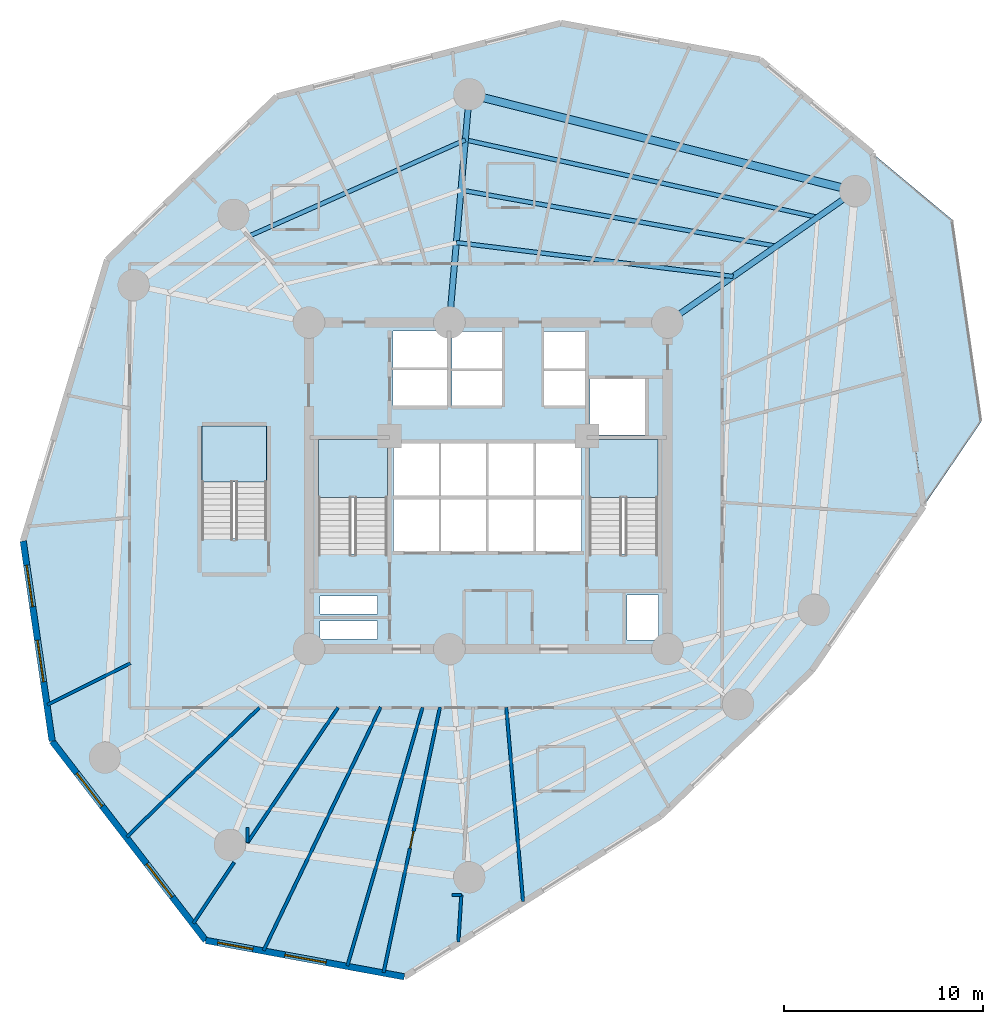
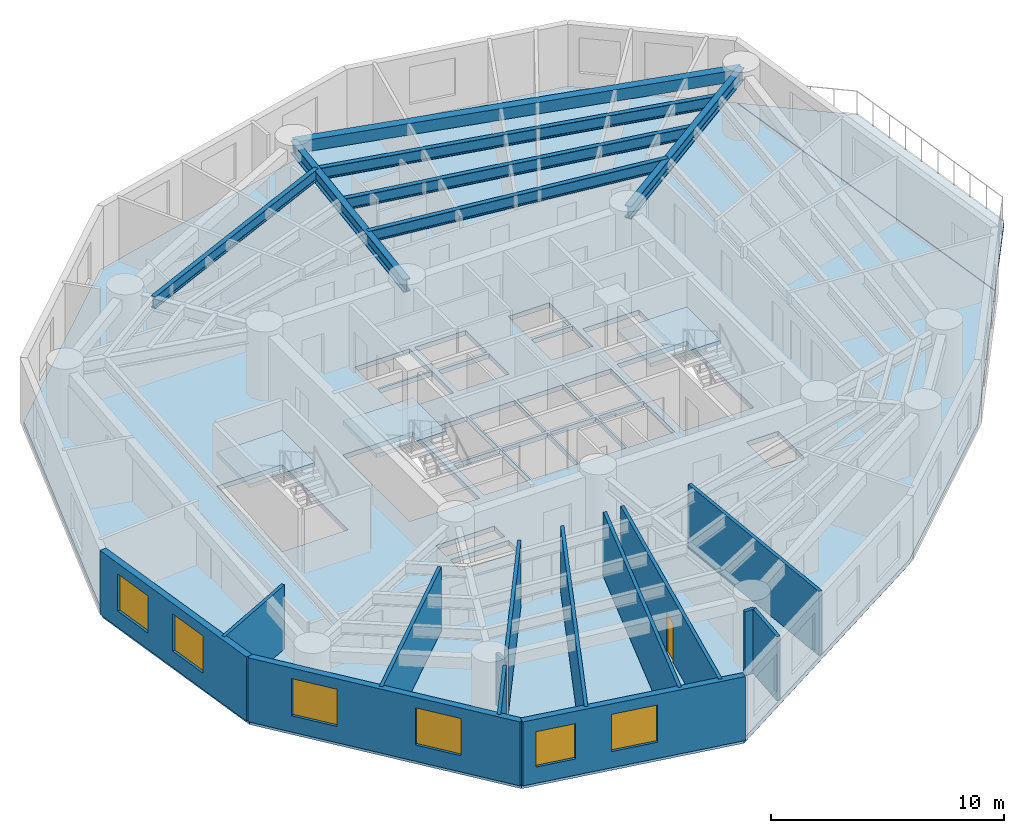
# One storey, part 2 of 9: 14 walls, 7 beams, 6 windows, 5 slabs, 1 door, 7 openings, 3 elements without a shape of their own.
"""IFC4 building model written with IfcOpenShell, lengths in metres."""

from ifc_helpers import new_model, si_unit, direction, frame, frame_2d, origin, origin_with_axes, origin_2d, place, context, subcontext, project, spatial, polyline, rectangle, i_section, outline, extrude, source, transform, mapped, material, layer, layer_set, material_profile, profile_set, type_object, element, fill, aggregate, save


model = new_model("IFC4")

# Units and contexts
model_context = context("Model", 3, precision=1e-05, world=origin(), true_north=direction((0.0, 1.0)))
body_context = subcontext(model_context, "Body", "Model", "MODEL_VIEW")
ifc_project = project(units=[si_unit("LENGTHUNIT", "METRE"), si_unit("AREAUNIT", "SQUARE_METRE"), si_unit("VOLUMEUNIT", "CUBIC_METRE"), si_unit("PLANEANGLEUNIT", "RADIAN"), si_unit("MASSUNIT", "GRAM", prefix="KILO")], contexts=[model_context])

# Site, building, storey
site_placement = place(None, origin())
site = spatial("IfcSite", under=ifc_project, at=site_placement, CompositionType="ELEMENT")
building_placement = place(site_placement, origin())
building = spatial("IfcBuilding", under=site, at=building_placement, Name="Karkom Vertical University and Central Library", CompositionType="ELEMENT")
storey_placement = place(building_placement, frame((0.0, 0.0, 69.699951171875)))
storey = spatial("IfcBuildingStorey", under=building, at=storey_placement, Name="L18", CompositionType="ELEMENT", Elevation=69.699951171875)

# Beams
ifc_material_1 = material(Name="Steel S355", Category="steel")
ifc_material_profile_1 = material_profile(ifc_material_1, i_section(OverallWidth=0.300048828125, OverallDepth=0.64990234375, WebThickness=0.01611328125, FlangeThickness=0.031005859375, FilletRadius=0.027099609375, at=origin_2d()), Name="HE 650 B")
ifc_profile_set_1 = profile_set([ifc_material_profile_1], Name="Steel S355")
beam_type_1 = type_object("IfcBeamType", Name="STR-BM-SB-HE650", PredefinedType="USERDEFINED", material=ifc_profile_set_1)
shared_shape_1 = source(origin_with_axes(), body_context, "Body", "SweptSolid", [
    extrude(i_section(OverallWidth=0.300048828125, OverallDepth=0.64990234375, WebThickness=0.01611328125, FlangeThickness=0.031005859375, FilletRadius=0.027099609375, at=origin_2d()), origin(), (0.0, 0.0, 1.0), 11.49951171875),
])
beam_1_placement = place(storey_placement, frame((37.5, 34.699951171875, 3.025146484375), z_axis=(0.81915012564, 0.573579176457, 0.0), x_axis=(-0.573579176457, 0.81915012564, 0.0)))
element("IfcBeam", 1, at=beam_1_placement, inside=storey, type_object=beam_type_1, Name="Level 18 Radial Frame Girder 02", ObjectType="GIRDER", PredefinedType="USERDEFINED", context=body_context, shape_type="MappedRepresentation", body=[
    mapped(shared_shape_1, transform((0.0, 0.0, 0.0), scale=1.0)),
])
shared_shape_2 = source(origin_with_axes(), body_context, "Body", "SweptSolid", [
    extrude(i_section(OverallWidth=0.300048828125, OverallDepth=0.64990234375, WebThickness=0.01611328125, FlangeThickness=0.031005859375, FilletRadius=0.027099609375, at=origin_2d()), origin(), (0.0, 0.0, 1.0), 11.499755859375),
])
beam_2_placement = place(storey_placement, frame((26.550048828125, 34.699951171875, 3.025146484375), z_axis=(0.087127973109, 0.99619712723, 0.0), x_axis=(-0.99619712723, 0.087127973109, 0.0)))
element("IfcBeam", 2, at=beam_2_placement, inside=storey, type_object=beam_type_1, Name="Level 18 Radial Frame Girder 03", ObjectType="GIRDER", PredefinedType="USERDEFINED", context=body_context, shape_type="MappedRepresentation", body=[
    mapped(shared_shape_2, transform((0.0, 0.0, 0.0), scale=1.0)),
])
ifc_material_2 = material(Name="Precast concrete C45/55", Category="concrete")
ifc_material_profile_2 = material_profile(ifc_material_2, rectangle(XDim=0.39990234375, YDim=0.60009765625, at=origin_2d()), Name="SPB-400x600")
ifc_profile_set_2 = profile_set([ifc_material_profile_2], Name="Precast concrete C45/55")
beam_type_2 = type_object("IfcBeamType", Name="STR-BM-SP-1", PredefinedType="SPANDREL", material=ifc_profile_set_2)
shared_shape_3 = source(origin_with_axes(), body_context, "Body", "SweptSolid", [
    extrude(rectangle(XDim=0.39990234375, YDim=0.60009765625, at=origin_2d()), origin(), (0.0, 0.0, 1.0), 19.968505859375),
])
beam_3_placement = place(storey_placement, frame((46.919921875, 41.2958984375, 3.050048828125), z_axis=(-0.969928522391, 0.243389937039, 0.0), x_axis=(-0.243389937039, -0.969928522391, 0.0)))
element("IfcBeam", 3, at=beam_3_placement, inside=storey, type_object=beam_type_2, Name="Level 18 Perimeter Spandrel Beam 02", PredefinedType="SPANDREL", context=body_context, shape_type="MappedRepresentation", body=[
    mapped(shared_shape_3, transform((0.0, 0.0, 0.0), scale=1.0)),
])
ifc_material_profile_3 = material_profile(ifc_material_1, i_section(OverallWidth=0.219970703125, OverallDepth=0.60009765625, WebThickness=0.011962890625, FlangeThickness=0.01904296875, FilletRadius=0.02392578125, at=origin_2d()), Name="IPE 600")
ifc_profile_set_3 = profile_set([ifc_material_profile_3], Name="Steel S355")
beam_type_3 = type_object("IfcBeamType", Name="STR-BM-SB-IPE600", PredefinedType="BEAM", material=ifc_profile_set_3)
shared_shape_4 = source(origin_with_axes(), body_context, "Body", "SweptSolid", [
    extrude(i_section(OverallWidth=0.219970703125, OverallDepth=0.60009765625, WebThickness=0.011962890625, FlangeThickness=0.01904296875, FilletRadius=0.02392578125, at=origin_2d()), origin(), (0.0, 0.0, 1.0), 14.000244140625),
])
beam_4_placement = place(storey_placement, frame((40.797119140625, 37.008544921875, 3.050048828125), z_axis=(-0.992590166403, 0.121510335198, 0.0), x_axis=(-0.121510335198, -0.992590166403, 0.0)))
element("IfcBeam", 4, at=beam_4_placement, inside=storey, type_object=beam_type_3, Name="Level 18 Secondary Composite Floor Beam 1.02", PredefinedType="BEAM", context=body_context, shape_type="MappedRepresentation", body=[
    mapped(shared_shape_4, transform((0.0, 0.0, 0.0), scale=1.0)),
])
shared_shape_5 = source(origin_with_axes(), body_context, "Body", "SweptSolid", [
    extrude(i_section(OverallWidth=0.219970703125, OverallDepth=0.60009765625, WebThickness=0.011962890625, FlangeThickness=0.01904296875, FilletRadius=0.02392578125, at=origin_2d()), origin(), (0.0, 0.0, 1.0), 16.08154296875),
])
beam_5_placement = place(storey_placement, frame((42.963623046875, 38.525634765625, 3.050048828125), z_axis=(-0.984517708807, 0.175285142111, 0.0), x_axis=(-0.175285142111, -0.984517708807, 0.0)))
element("IfcBeam", 5, at=beam_5_placement, inside=storey, type_object=beam_type_3, Name="Level 18 Secondary Composite Floor Beam 2.02", PredefinedType="BEAM", context=body_context, shape_type="MappedRepresentation", body=[
    mapped(shared_shape_5, transform((0.0, 0.0, 0.0), scale=1.0)),
])
shared_shape_6 = source(origin_with_axes(), body_context, "Body", "SweptSolid", [
    extrude(i_section(OverallWidth=0.219970703125, OverallDepth=0.60009765625, WebThickness=0.011962890625, FlangeThickness=0.01904296875, FilletRadius=0.02392578125, at=origin_2d()), origin(), (0.0, 0.0, 1.0), 18.106689453125),
])
beam_6_placement = place(storey_placement, frame((45.035888671875, 39.976806640625, 3.050048828125), z_axis=(-0.976674731786, 0.214724167926, 0.0), x_axis=(-0.214724167926, -0.976674731786, 0.0)))
element("IfcBeam", 6, at=beam_6_placement, inside=storey, type_object=beam_type_3, Name="Level 18 Secondary Composite Floor Beam 3.02", PredefinedType="BEAM", context=body_context, shape_type="MappedRepresentation", body=[
    mapped(shared_shape_6, transform((0.0, 0.0, 0.0), scale=1.0)),
])
shared_shape_7 = source(origin_with_axes(), body_context, "Body", "SweptSolid", [
    extrude(i_section(OverallWidth=0.219970703125, OverallDepth=0.60009765625, WebThickness=0.011962890625, FlangeThickness=0.01904296875, FilletRadius=0.02392578125, at=origin_2d()), origin(), (0.0, 0.0, 1.0), 11.908203125),
])
beam_7_placement = place(storey_placement, frame((27.3515625, 43.86474609375, 3.050048828125), z_axis=(-0.913682996781, -0.406427584441, 0.0), x_axis=(0.406427584441, -0.913682996781, 0.0)))
element("IfcBeam", 7, at=beam_7_placement, inside=storey, type_object=beam_type_3, Name="Level 18 Secondary Composite Floor Beam 3.03", PredefinedType="BEAM", context=body_context, shape_type="MappedRepresentation", body=[
    mapped(shared_shape_7, transform((0.0, 0.0, 0.0), scale=1.0)),
])

# Stair, slab
ifc_material_3 = material(Name="Concrete C45/55", Category="concrete")
stair_type_1 = type_object("IfcStairType", Name="INT-STR-ST-MAIN", PredefinedType="HALF_TURN_STAIR", material=ifc_material_3)
stair_1_placement = place(storey_placement, origin())
stair_1 = element("IfcStair", 8, at=stair_1_placement, inside=storey, type_object=stair_type_1, Name="Level 18 Tower Protected Exit Stair ST-1", PredefinedType="HALF_TURN_STAIR")
ifc_layer_1 = layer(ifc_material_3, 0.199951171875)
ifc_layer_set_1 = layer_set([ifc_layer_1], Name="Concrete C45/55")
slab_type_1 = type_object("IfcSlabType", Name="INT-SLB-LANDING", PredefinedType="LANDING", material=ifc_layer_set_1)
slab_1_placement = place(storey_placement, frame((0.0, 0.0, 1.60009765625)))
slab_1 = element("IfcSlab", 9, at=slab_1_placement, type_object=slab_type_1, Name="ST-1 landing 1", PredefinedType="LANDING", context=body_context, shape_type="SweptSolid", body=[
    extrude(outline(polyline([(23.43994140625, 25.919921875), (23.43994140625, 28.820068359375), (19.97998046875, 28.820068359375), (19.97998046875, 25.919921875), (23.43994140625, 25.919921875)])), origin(), (0.0, 0.0, 1.0), 0.199951171875),
])
aggregate(stair_1, [slab_1])

stair_2_placement = place(storey_placement, origin())
stair_2 = element("IfcStair", 10, at=stair_2_placement, inside=storey, type_object=stair_type_1, Name="Level 18 Tower Protected Exit Stair ST-2", PredefinedType="HALF_TURN_STAIR")
slab_2_placement = place(storey_placement, frame((0.0, 0.0, 1.60009765625)))
slab_2 = element("IfcSlab", 11, at=slab_2_placement, type_object=slab_type_1, Name="ST-2 landing 1", PredefinedType="LANDING", context=body_context, shape_type="SweptSolid", body=[
    extrude(outline(polyline([(37.02001953125, 25.919921875), (37.02001953125, 28.820068359375), (33.56005859375, 28.820068359375), (33.56005859375, 25.919921875), (37.02001953125, 25.919921875)])), origin(), (0.0, 0.0, 1.0), 0.199951171875),
])
aggregate(stair_2, [slab_2])

stair_type_2 = type_object("IfcStairType", Name="INT-STR-ST-SEC", PredefinedType="HALF_TURN_STAIR", material=ifc_material_3)
stair_3_placement = place(storey_placement, origin())
stair_3 = element("IfcStair", 12, at=stair_3_placement, inside=storey, type_object=stair_type_2, Name="Level 18 Academic Zone Protected Exit Stair ST-3", PredefinedType="HALF_TURN_STAIR")
slab_3_placement = place(storey_placement, frame((0.0, 0.0, 1.60009765625)))
slab_3 = element("IfcSlab", 13, at=slab_3_placement, type_object=slab_type_1, Name="ST-3 landing 1", PredefinedType="LANDING", context=body_context, shape_type="SweptSolid", body=[
    extrude(outline(polyline([(17.3798828125, 26.699951171875), (17.3798828125, 29.5), (14.1201171875, 29.5), (14.1201171875, 26.699951171875), (17.3798828125, 26.699951171875)])), origin(), (0.0, 0.0, 1.0), 0.199951171875),
])
aggregate(stair_3, [slab_3])

# Slabs
ifc_layer_2 = layer(ifc_material_3, 0.25)
ifc_layer_set_2 = layer_set([ifc_layer_2], Name="Concrete C45/55")
slab_type_2 = type_object("IfcSlabType", Name="STR-SLB-FLR-250", PredefinedType="FLOOR", material=ifc_layer_set_2)
slab_4_placement = place(storey_placement, frame((0.0, 0.0, -0.25)))
element("IfcSlab", 14, at=slab_4_placement, inside=storey, type_object=slab_type_2, Name="Level 18 Tower Structural Floor Slab", PredefinedType="FLOOR", context=body_context, shape_type="SweptSolid", body=[
    extrude(outline(polyline([(9.375244140625, 37.838134765625), (5.15478515625, 23.726318359375), (6.60888671875, 13.676513671875), (14.31787109375, 3.677978515625), (24.284423828125, 1.85009765625), (37.14697265625, 9.91259765625), (44.749755859375, 17.23388671875), (50.351318359375, 25.464111328125), (47.786865234375, 43.188232421875), (42.139404296875, 47.892333984375), (32.151611328125, 49.72412109375), (17.890625, 46.03857421875), (9.375244140625, 37.838134765625)]), holes=[polyline([(19.97998046875, 23.0849609375), (23.43994140625, 23.0849609375), (23.43994140625, 28.820068359375), (19.97998046875, 28.820068359375), (19.97998046875, 23.0849609375)]), polyline([(33.56005859375, 23.0849609375), (37.02001953125, 23.0849609375), (37.02001953125, 28.820068359375), (33.56005859375, 28.820068359375), (33.56005859375, 23.0849609375)]), polyline([(14.1201171875, 23.864990234375), (17.3798828125, 23.864990234375), (17.3798828125, 29.5), (14.1201171875, 29.5), (14.1201171875, 23.864990234375)]), polyline([(23.75, 23.199951171875), (26.030029296875, 23.199951171875), (26.030029296875, 25.85009765625), (23.75, 25.85009765625), (23.75, 23.199951171875)]), polyline([(26.1298828125, 23.199951171875), (28.409912109375, 23.199951171875), (28.409912109375, 25.85009765625), (26.1298828125, 25.85009765625), (26.1298828125, 23.199951171875)]), polyline([(28.510009765625, 23.199951171875), (30.7900390625, 23.199951171875), (30.7900390625, 25.85009765625), (28.510009765625, 25.85009765625), (28.510009765625, 23.199951171875)]), polyline([(30.889892578125, 23.199951171875), (33.169921875, 23.199951171875), (33.169921875, 25.85009765625), (30.889892578125, 25.85009765625), (30.889892578125, 23.199951171875)]), polyline([(23.75, 26.0), (26.030029296875, 26.0), (26.030029296875, 28.64990234375), (23.75, 28.64990234375), (23.75, 26.0)]), polyline([(26.1298828125, 26.0), (28.409912109375, 26.0), (28.409912109375, 28.64990234375), (26.1298828125, 28.64990234375), (26.1298828125, 26.0)]), polyline([(28.510009765625, 26.0), (30.7900390625, 26.0), (30.7900390625, 28.64990234375), (28.510009765625, 28.64990234375), (28.510009765625, 26.0)]), polyline([(30.889892578125, 26.0), (33.169921875, 26.0), (33.169921875, 28.64990234375), (30.889892578125, 28.64990234375), (30.889892578125, 26.0)]), polyline([(26.679931640625, 30.5), (29.199951171875, 30.5), (29.199951171875, 32.25), (26.679931640625, 32.25), (26.679931640625, 30.5)]), polyline([(26.679931640625, 32.39990234375), (29.199951171875, 32.39990234375), (29.199951171875, 34.25), (26.679931640625, 34.25), (26.679931640625, 32.39990234375)]), polyline([(31.300048828125, 30.5), (33.35009765625, 30.5), (33.35009765625, 32.25), (31.300048828125, 32.25), (31.300048828125, 30.5)]), polyline([(31.300048828125, 32.39990234375), (33.35009765625, 32.39990234375), (33.35009765625, 34.25), (31.300048828125, 34.25), (31.300048828125, 32.39990234375)]), polyline([(23.719970703125, 30.47998046875), (26.429931640625, 30.47998046875), (26.429931640625, 32.320068359375), (23.719970703125, 32.320068359375), (23.719970703125, 30.47998046875)]), polyline([(23.719970703125, 32.419921875), (26.429931640625, 32.419921875), (26.429931640625, 34.260009765625), (23.719970703125, 34.260009765625), (23.719970703125, 32.419921875)]), polyline([(33.60009765625, 29.050048828125), (36.39990234375, 29.050048828125), (36.39990234375, 31.85009765625), (33.60009765625, 31.85009765625), (33.60009765625, 29.050048828125)]), polyline([(20.050048828125, 18.820068359375), (22.949951171875, 18.820068359375), (22.949951171875, 19.719970703125), (20.050048828125, 19.719970703125), (20.050048828125, 18.820068359375)]), polyline([(20.050048828125, 20.06005859375), (22.949951171875, 20.06005859375), (22.949951171875, 20.9599609375), (20.050048828125, 20.9599609375), (20.050048828125, 20.06005859375)]), polyline([(35.4599609375, 18.760009765625), (37.0400390625, 18.760009765625), (37.0400390625, 21.010009765625), (35.4599609375, 21.010009765625), (35.4599609375, 18.760009765625)])]), origin(), (0.0, 0.0, 1.0), 0.25),
])
ifc_layer_3 = layer(ifc_material_3, 0.199951171875)
ifc_layer_set_3 = layer_set([ifc_layer_3], Name="Concrete C45/55")
slab_type_3 = type_object("IfcSlabType", Name="STR-SLB-PLN-260", PredefinedType="USERDEFINED", material=ifc_layer_set_3)
slab_5_placement = place(storey_placement, frame((0.0, 0.0, -0.25)))
element("IfcSlab", 15, at=slab_5_placement, inside=storey, type_object=slab_type_3, Name="Level 18 Spiral Sky Garden Planter Terrace", ObjectType="PLANTER", PredefinedType="USERDEFINED", context=body_context, shape_type="SweptSolid", body=[
    extrude(outline(polyline([(51.84033203125, 39.811767578125), (53.291259765625, 29.78369140625), (50.367919921875, 25.488525390625), (47.809814453125, 43.169189453125), (51.84033203125, 39.811767578125)])), origin(), (0.0, 0.0, 1.0), 0.25),
])

# Wall, openings, windows
ifc_material_4 = material(Name="Brick-faced precast concrete C45/55", Category="masonry")
ifc_layer_4 = layer(ifc_material_4, 0.320068359375)
ifc_layer_set_4 = layer_set([ifc_layer_4], Name="Brick-faced precast concrete C45/55")
wall_type_1 = type_object("IfcWallType", Name="ENV-WL-BRK-320", PredefinedType="SOLIDWALL", material=ifc_layer_set_4)
wall_1_placement = place(storey_placement, frame((5.15478515625, 23.726318359375, 0.0), z_axis=(0.0, 0.0, 1.0), x_axis=(0.143198365265, -0.98969400735, 0.0)))
wall_1 = element("IfcWall", 16, at=wall_1_placement, inside=storey, type_object=wall_type_1, Name="Level 18 Brick-Faced Precast Facade Wall 02", PredefinedType="SOLIDWALL", context=body_context, shape_type="SweptSolid", body=[
    extrude(rectangle(XDim=10.154541015625, YDim=0.320068359375, at=frame_2d((5.0771484375, 0.0))), origin(), (0.0, 0.0, 1.0), 3.35009765625),
])
opening_1_placement = place(wall_1_placement, frame((1.23046875, 0.0, 0.85009765625)))
opening_1 = element("IfcOpeningElement", 17, at=opening_1_placement, cuts=wall_1, Name="Opening WN-03", PredefinedType="OPENING", context=body_context, shape_type="SweptSolid", body=[
    extrude(rectangle(XDim=2.10009765625, YDim=1.949951171875, at=frame_2d((1.050048828125, 0.97509765625))), frame((0.0, 0.169921875, 0.0), z_axis=(0.0, -1.0, 0.0), x_axis=(1.0, 0.0, 0.0)), (0.0, 0.0, 1.0), 0.340087890625),
])
opening_2_placement = place(wall_1_placement, frame((5.031494140625, 0.0, 0.85009765625)))
opening_2 = element("IfcOpeningElement", 18, at=opening_2_placement, cuts=wall_1, Name="Opening WN-03", PredefinedType="OPENING", context=body_context, shape_type="SweptSolid", body=[
    extrude(rectangle(XDim=2.10009765625, YDim=1.949951171875, at=frame_2d((1.050048828125, 0.97509765625))), frame((0.0, 0.169921875, 0.0), z_axis=(0.0, -1.0, 0.0), x_axis=(1.0, 0.0, 0.0)), (0.0, 0.0, 1.0), 0.340087890625),
])
ifc_material_5 = material(Name="Aluminium thermal-break frame with solar-control IGU", Category="aluminium")
window_type_1 = type_object("IfcWindowType", Name="ENV-WIN-WN-03", PartitioningType="SINGLE_PANEL", PredefinedType="WINDOW", material=ifc_material_5)
shared_shape_8 = source(origin_with_axes(), body_context, "Body", "SweptSolid", [
    extrude(rectangle(XDim=2.10009765625, YDim=1.949951171875, at=frame_2d((1.050048828125, 0.97509765625))), frame((0.0, 0.030029296875, 0.0), z_axis=(0.0, -1.0, 0.0), x_axis=(1.0, 0.0, 0.0)), (0.0, 0.0, 1.0), 0.06005859375),
])
window_1_placement = place(opening_1_placement, origin())
window_1 = element("IfcWindow", 19, at=window_1_placement, inside=storey, type_object=window_type_1, Name="Level 18 Punched Window 2.1", OverallHeight=1.949951171875, OverallWidth=2.10009765625, PartitioningType="SINGLE_PANEL", PredefinedType="WINDOW", context=body_context, shape_type="MappedRepresentation", body=[
    mapped(shared_shape_8, transform((0.0, 0.0, 0.0), scale=1.0)),
])
fill(opening_1, window_1)
window_2_placement = place(opening_2_placement, origin())
window_2 = element("IfcWindow", 20, at=window_2_placement, inside=storey, type_object=window_type_1, Name="Level 18 Punched Window 2.2", OverallHeight=1.949951171875, OverallWidth=2.10009765625, PartitioningType="SINGLE_PANEL", PredefinedType="WINDOW", context=body_context, shape_type="MappedRepresentation", body=[
    mapped(shared_shape_8, transform((0.0, 0.0, 0.0), scale=1.0)),
])
fill(opening_2, window_2)

wall_2_placement = place(storey_placement, frame((6.60888671875, 13.676513671875, 0.0), z_axis=(0.0, 0.0, 1.0), x_axis=(0.610596304002, -0.791942014001, 0.0)))
wall_2 = element("IfcWall", 21, at=wall_2_placement, inside=storey, type_object=wall_type_1, Name="Level 18 Brick-Faced Precast Facade Wall 03", PredefinedType="SOLIDWALL", context=body_context, shape_type="SweptSolid", body=[
    extrude(rectangle(XDim=12.625244140625, YDim=0.320068359375, at=frame_2d((6.3125, 0.0))), origin(), (0.0, 0.0, 1.0), 3.35009765625),
])
opening_3_placement = place(wall_2_placement, frame((2.025390625, 0.0, 0.85009765625)))
opening_3 = element("IfcOpeningElement", 22, at=opening_3_placement, cuts=wall_2, Name="Opening WN-03", PredefinedType="OPENING", context=body_context, shape_type="SweptSolid", body=[
    extrude(rectangle(XDim=2.10009765625, YDim=1.949951171875, at=frame_2d((1.050048828125, 0.97509765625))), frame((0.0, 0.169921875, 0.0), z_axis=(0.0, -1.0, 0.0), x_axis=(1.0, 0.0, 0.0)), (0.0, 0.0, 1.0), 0.340087890625),
])
opening_4_placement = place(wall_2_placement, frame((7.77294921875, 0.0, 0.85009765625)))
opening_4 = element("IfcOpeningElement", 23, at=opening_4_placement, cuts=wall_2, Name="Opening WN-03", PredefinedType="OPENING", context=body_context, shape_type="SweptSolid", body=[
    extrude(rectangle(XDim=2.10009765625, YDim=1.949951171875, at=frame_2d((1.050048828125, 0.97509765625))), frame((0.0, 0.169921875, 0.0), z_axis=(0.0, -1.0, 0.0), x_axis=(1.0, 0.0, 0.0)), (0.0, 0.0, 1.0), 0.340087890625),
])
window_3_placement = place(opening_3_placement, origin())
window_3 = element("IfcWindow", 24, at=window_3_placement, inside=storey, type_object=window_type_1, Name="Level 18 Punched Window 3.1", OverallHeight=1.949951171875, OverallWidth=2.10009765625, PartitioningType="SINGLE_PANEL", PredefinedType="WINDOW", context=body_context, shape_type="MappedRepresentation", body=[
    mapped(shared_shape_8, transform((0.0, 0.0, 0.0), scale=1.0)),
])
fill(opening_3, window_3)
window_4_placement = place(opening_4_placement, origin())
window_4 = element("IfcWindow", 25, at=window_4_placement, inside=storey, type_object=window_type_1, Name="Level 18 Punched Window 3.2", OverallHeight=1.949951171875, OverallWidth=2.10009765625, PartitioningType="SINGLE_PANEL", PredefinedType="WINDOW", context=body_context, shape_type="MappedRepresentation", body=[
    mapped(shared_shape_8, transform((0.0, 0.0, 0.0), scale=1.0)),
])
fill(opening_4, window_4)

wall_3_placement = place(storey_placement, frame((14.31787109375, 3.677978515625, 0.0), z_axis=(0.0, 0.0, 1.0), x_axis=(0.983594660339, -0.180392749723, 0.0)))
wall_3 = element("IfcWall", 26, at=wall_3_placement, inside=storey, type_object=wall_type_1, Name="Level 18 Brick-Faced Precast Facade Wall 04", PredefinedType="SOLIDWALL", context=body_context, shape_type="SweptSolid", body=[
    extrude(rectangle(XDim=10.1328125, YDim=0.320068359375, at=frame_2d((5.06640625, 0.0))), origin(), (0.0, 0.0, 1.0), 3.35009765625),
])
opening_5_placement = place(wall_3_placement, frame((0.60986328125, 0.0, 0.85009765625)))
opening_5 = element("IfcOpeningElement", 27, at=opening_5_placement, cuts=wall_3, Name="Opening WN-04", PredefinedType="OPENING", context=body_context, shape_type="SweptSolid", body=[
    extrude(rectangle(XDim=1.800048828125, YDim=1.85009765625, at=frame_2d((0.89990234375, 0.925048828125))), frame((0.0, 0.169921875, 0.0), z_axis=(0.0, -1.0, 0.0), x_axis=(1.0, 0.0, 0.0)), (0.0, 0.0, 1.0), 0.340087890625),
])
opening_6_placement = place(wall_3_placement, frame((4.043701171875, 0.0, 0.85009765625)))
opening_6 = element("IfcOpeningElement", 28, at=opening_6_placement, cuts=wall_3, Name="Opening WN-03", PredefinedType="OPENING", context=body_context, shape_type="SweptSolid", body=[
    extrude(rectangle(XDim=2.10009765625, YDim=1.949951171875, at=frame_2d((1.050048828125, 0.97509765625))), frame((0.0, 0.169921875, 0.0), z_axis=(0.0, -1.0, 0.0), x_axis=(1.0, 0.0, 0.0)), (0.0, 0.0, 1.0), 0.340087890625),
])
window_5_placement = place(opening_6_placement, origin())
window_5 = element("IfcWindow", 29, at=window_5_placement, inside=storey, type_object=window_type_1, Name="Level 18 Punched Window 4.2", OverallHeight=1.949951171875, OverallWidth=2.10009765625, PartitioningType="SINGLE_PANEL", PredefinedType="WINDOW", context=body_context, shape_type="MappedRepresentation", body=[
    mapped(shared_shape_8, transform((0.0, 0.0, 0.0), scale=1.0)),
])
fill(opening_6, window_5)
window_type_2 = type_object("IfcWindowType", Name="ENV-WIN-WN-04", PartitioningType="SINGLE_PANEL", PredefinedType="WINDOW", material=ifc_material_5)
shared_shape_9 = source(origin_with_axes(), body_context, "Body", "SweptSolid", [
    extrude(rectangle(XDim=1.800048828125, YDim=1.85009765625, at=frame_2d((0.89990234375, 0.925048828125))), frame((0.0, 0.030029296875, 0.0), z_axis=(0.0, -1.0, 0.0), x_axis=(1.0, 0.0, 0.0)), (0.0, 0.0, 1.0), 0.06005859375),
])
window_6_placement = place(opening_5_placement, origin())
window_6 = element("IfcWindow", 30, at=window_6_placement, inside=storey, type_object=window_type_2, Name="Level 18 Punched Window 4.1", OverallHeight=1.85009765625, OverallWidth=1.800048828125, PartitioningType="SINGLE_PANEL", PredefinedType="WINDOW", context=body_context, shape_type="MappedRepresentation", body=[
    mapped(shared_shape_9, transform((0.0, 0.0, 0.0), scale=1.0)),
])
fill(opening_5, window_6)

# Wall, opening, door
ifc_material_6 = material(Name="Insulated metal-stud drywall 160mm", Category="gypsum")
ifc_layer_5 = layer(ifc_material_6, 0.159912109375)
ifc_layer_set_5 = layer_set([ifc_layer_5], Name="Insulated metal-stud drywall 160mm")
wall_type_2 = type_object("IfcWallType", Name="INT-WL-COR-160", PredefinedType="PARTITIONING", material=ifc_layer_set_5)
wall_4_placement = place(storey_placement, frame((26.07861328125, 15.39404296875, 0.0), z_axis=(0.0, 0.0, 1.0), x_axis=(-0.207879327867, -0.978154479132, 0.0)))
wall_4 = element("IfcWall", 31, at=wall_4_placement, inside=storey, type_object=wall_type_2, Name="Level 18 Interior Partition Wall L18-PW-009", PredefinedType="PARTITIONING", context=body_context, shape_type="SweptSolid", body=[
    extrude(rectangle(XDim=13.625732421875, YDim=0.159912109375, at=frame_2d((6.81298828125, 0.0))), origin(), (0.0, 0.0, 1.0), 3.35009765625),
])
opening_7_placement = place(wall_4_placement, frame((6.3828125, 0.0, 0.0)))
opening_7 = element("IfcOpeningElement", 32, at=opening_7_placement, cuts=wall_4, Name="Opening FD-BTH2", PredefinedType="OPENING", context=body_context, shape_type="SweptSolid", body=[
    extrude(rectangle(XDim=0.860107421875, YDim=2.0400390625, at=frame_2d((0.43017578125, 1.02001953125))), frame((0.0, 0.08984375, 0.0), z_axis=(0.0, -1.0, 0.0), x_axis=(1.0, 0.0, 0.0)), (0.0, 0.0, 1.0), 0.179931640625),
])
ifc_material_7 = material(Name="Fire-rated moisture-resistant oak door", Category="wood")
door_type = type_object("IfcDoorType", Name="INT-DR-FBTH2", OperationType="NOTDEFINED", PredefinedType="DOOR", material=ifc_material_7)
shared_shape_10 = source(origin_with_axes(), body_context, "Body", "SweptSolid", [
    extrude(rectangle(XDim=0.860107421875, YDim=2.0400390625, at=frame_2d((0.43017578125, 1.02001953125))), frame((0.0, 0.02490234375, 0.0), z_axis=(0.0, -1.0, 0.0), x_axis=(1.0, 0.0, 0.0)), (0.0, 0.0, 1.0), 0.050048828125),
])
door_placement = place(opening_7_placement, origin())
door = element("IfcDoor", 33, at=door_placement, inside=storey, type_object=door_type, Name="Level 18 Academic Servery Tea Pantry Entry Door", OperationType="SINGLE_SWING_RIGHT", OverallHeight=2.0400390625, OverallWidth=0.860107421875, PredefinedType="DOOR", context=body_context, shape_type="MappedRepresentation", body=[
    mapped(shared_shape_10, transform((0.0, 0.0, 0.0), scale=1.0)),
])
fill(opening_7, door)

# Walls
wall_5_placement = place(storey_placement, frame((23.095703125, 15.390380859375, 0.0), z_axis=(0.0, 0.0, 1.0), x_axis=(-0.433095236194, -0.901348166019, 0.0)))
element("IfcWall", 34, at=wall_5_placement, inside=storey, type_object=wall_type_2, Name="Level 18 Interior Partition Wall L18-PW-007", PredefinedType="PARTITIONING", context=body_context, shape_type="SweptSolid", body=[
    extrude(rectangle(XDim=13.554931640625, YDim=0.159912109375, at=frame_2d((6.77734375, 0.0))), origin(), (0.0, 0.0, 1.0), 3.35009765625),
])
wall_6_placement = place(storey_placement, frame((25.202880859375, 15.37890625, 0.0), z_axis=(0.0, 0.0, 1.0), x_axis=(-0.279252938463, -0.960217577615, 0.0)))
element("IfcWall", 35, at=wall_6_placement, inside=storey, type_object=wall_type_2, Name="Level 18 Interior Partition Wall L18-PW-008", PredefinedType="PARTITIONING", context=body_context, shape_type="SweptSolid", body=[
    extrude(rectangle(XDim=13.51708984375, YDim=0.159912109375, at=frame_2d((6.758544921875, 0.0))), origin(), (0.0, 0.0, 1.0), 3.35009765625),
])
wall_7_placement = place(storey_placement, frame((29.40380859375, 15.3798828125, 0.0), z_axis=(0.0, 0.0, 1.0), x_axis=(0.086388552825, -0.996261520857, 0.0)))
element("IfcWall", 36, at=wall_7_placement, inside=storey, type_object=wall_type_2, Name="Level 18 Interior Partition Wall L18-PW-013", PredefinedType="PARTITIONING", context=body_context, shape_type="SweptSolid", body=[
    extrude(rectangle(XDim=9.78955078125, YDim=0.159912109375, at=frame_2d((4.894775390625, 0.0))), origin(), (0.0, 0.0, 1.0), 3.35009765625),
])
wall_8_placement = place(storey_placement, frame((17.014404296875, 15.37109375, 0.0), z_axis=(0.0, 0.0, 1.0), x_axis=(-0.715549557625, -0.69856197333, 0.0)))
element("IfcWall", 37, at=wall_8_placement, inside=storey, type_object=wall_type_2, Name="Level 18 Interior Partition Wall L18-PW-003", PredefinedType="PARTITIONING", context=body_context, shape_type="SweptSolid", body=[
    extrude(rectangle(XDim=9.31298828125, YDim=0.159912109375, at=frame_2d((4.656494140625, 0.0))), origin(), (0.0, 0.0, 1.0), 3.35009765625),
])
wall_9_placement = place(storey_placement, frame((20.965087890625, 15.375, 0.0), z_axis=(0.0, 0.0, 1.0), x_axis=(-0.557067606791, -0.830467146529, 0.0)))
element("IfcWall", 38, at=wall_9_placement, inside=storey, type_object=wall_type_2, Name="Level 18 Interior Partition Wall L18-PW-004", PredefinedType="PARTITIONING", context=body_context, shape_type="SweptSolid", body=[
    extrude(rectangle(XDim=8.1787109375, YDim=0.159912109375, at=frame_2d((4.08935546875, 0.0))), origin(), (0.0, 0.0, 1.0), 3.35009765625),
])
wall_10_placement = place(storey_placement, frame((10.540283203125, 17.586669921875, 0.0), z_axis=(0.0, 0.0, 1.0), x_axis=(-0.894427191, -0.4472135955, 0.0)))
element("IfcWall", 39, at=wall_10_placement, inside=storey, type_object=wall_type_2, Name="Level 18 Interior Partition Wall L18-PW-001", PredefinedType="PARTITIONING", context=body_context, shape_type="SweptSolid", body=[
    extrude(rectangle(XDim=4.659423828125, YDim=0.159912109375, at=frame_2d((2.32958984375, 0.0))), origin(), (0.0, 0.0, 1.0), 3.35009765625),
])
wall_11_placement = place(storey_placement, frame((15.744384765625, 7.592041015625, 0.0), z_axis=(0.0, 0.0, 1.0), x_axis=(-0.55699338803, -0.830516926794, 0.0)))
element("IfcWall", 40, at=wall_11_placement, inside=storey, type_object=wall_type_2, Name="Level 18 Interior Partition Wall L18-PW-006", PredefinedType="PARTITIONING", context=body_context, shape_type="SweptSolid", body=[
    extrude(rectangle(XDim=3.681884765625, YDim=0.159912109375, at=frame_2d((1.8408203125, 0.0))), origin(), (0.0, 0.0, 1.0), 3.35009765625),
])
wall_12_placement = place(storey_placement, frame((27.14892578125, 5.964111328125, 0.0), z_axis=(0.0, 0.0, 1.0), x_axis=(-0.062769061523, -0.99802807822, 0.0)))
element("IfcWall", 41, at=wall_12_placement, inside=storey, type_object=wall_type_2, Name="Level 18 Interior Partition Wall L18-PW-012", PredefinedType="PARTITIONING", context=body_context, shape_type="SweptSolid", body=[
    extrude(rectangle(XDim=2.37255859375, YDim=0.159912109375, at=frame_2d((1.186279296875, 0.0))), origin(), (0.0, 0.0, 1.0), 3.35009765625),
])
wall_13_placement = place(storey_placement, frame((16.408935546875, 8.582763671875, 0.0), z_axis=(0.0, 0.0, 1.0), x_axis=(0.0, 1.0, 0.0)))
element("IfcWall", 42, at=wall_13_placement, inside=storey, type_object=wall_type_2, Name="Level 18 Interior Partition Wall L18-PW-005", PredefinedType="PARTITIONING", context=body_context, shape_type="SweptSolid", body=[
    extrude(rectangle(XDim=0.769287109375, YDim=0.159912109375, at=frame_2d((0.384765625, 0.0))), origin(), (0.0, 0.0, 1.0), 2.699951171875),
])
wall_14_placement = place(storey_placement, frame((26.672119140625, 5.964111328125, 0.0), z_axis=(0.0, 0.0, 1.0), x_axis=(1.0, 0.0, 0.0)))
element("IfcWall", 43, at=wall_14_placement, inside=storey, type_object=wall_type_2, Name="Level 18 Interior Partition Wall L18-PW-011", PredefinedType="PARTITIONING", context=body_context, shape_type="SweptSolid", body=[
    extrude(rectangle(XDim=0.476806640625, YDim=0.159912109375, at=frame_2d((0.23828125, 0.0))), origin(), (0.0, 0.0, 1.0), 3.35009765625),
])

save(model, "model.ifc")
